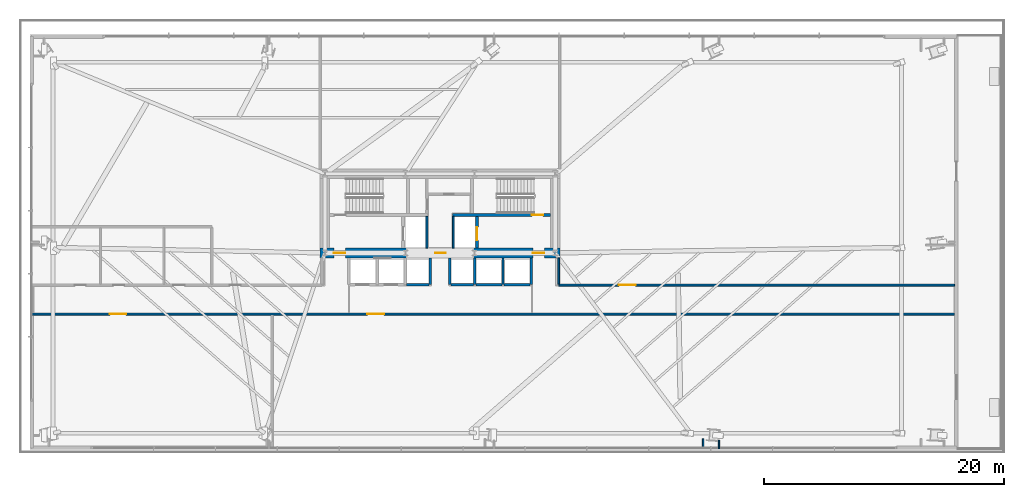
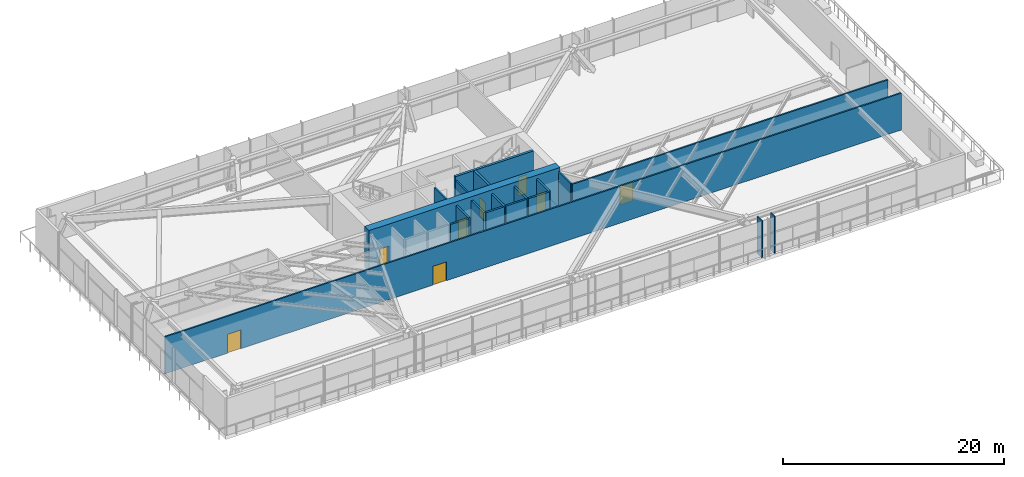
# One storey, part 26 of 36: 19 walls, 8 doors, 8 openings.
"""IFC4 building model written with IfcOpenShell, lengths in metres."""

from ifc_helpers import new_model, si_unit, direction, frame, frame_2d, origin, place, context, subcontext, project, spatial, rectangle, extrude, source, transform, mapped, material, layer, layer_set, type_object, type_shapes, element, fill, save


model = new_model("IFC4")

# Units and contexts
model_context = context("Model", 3, precision=1e-05, world=origin(), true_north=direction((0.0, 1.0)))
body_context = subcontext(model_context, "Body", "Model", "MODEL_VIEW")
ifc_project = project(units=[si_unit("LENGTHUNIT", "METRE"), si_unit("AREAUNIT", "SQUARE_METRE"), si_unit("VOLUMEUNIT", "CUBIC_METRE"), si_unit("PLANEANGLEUNIT", "RADIAN"), si_unit("MASSUNIT", "GRAM", prefix="KILO")], contexts=[model_context])

# Site, building, storey
site_placement = place(None, origin())
site = spatial("IfcSite", under=ifc_project, at=site_placement, CompositionType="ELEMENT")
building_placement = place(site_placement, origin())
building = spatial("IfcBuilding", under=site, at=building_placement, Name="Astriad Promenade Condominiums", CompositionType="ELEMENT")
storey_placement = place(building_placement, frame((0.0, 0.0, 5.0)))
storey = spatial("IfcBuildingStorey", under=building, at=storey_placement, Name="L01", CompositionType="ELEMENT", Elevation=5.0)

# Wall, openings, doors
ifc_material_1 = material(Name="Concrete C80/95", Category="concrete")
ifc_layer_1 = layer(ifc_material_1, 0.800048828125)
ifc_layer_set_1 = layer_set([ifc_layer_1], Name="Concrete C80/95")
wall_type_1 = type_object("IfcWallType", Name="CW-SHEAR-800", PredefinedType="SHEAR", material=ifc_layer_set_1)
wall_1_placement = place(storey_placement, frame((26.0, 17.39990234375, 0.0), z_axis=(0.0, 0.0, 1.0), x_axis=(1.0, 0.0, 0.0)))
wall_1 = element("IfcWall", 1, at=wall_1_placement, inside=storey, type_object=wall_type_1, Name="CW-CORE-S-L01", PredefinedType="SHEAR", context=body_context, shape_type="SweptSolid", body=[
    extrude(rectangle(XDim=20.0, YDim=0.800048828125, at=frame_2d((10.0, 0.0))), origin(), (0.0, 0.0, 1.0), 4.5),
])
opening_1_placement = place(wall_1_placement, frame((1.14990234375, 0.0, 0.0)))
opening_1 = element("IfcOpeningElement", 2, at=opening_1_placement, cuts=wall_1, Name="Opening FD90-ST-095", PredefinedType="OPENING", context=body_context, shape_type="SweptSolid", body=[
    extrude(rectangle(XDim=0.949951171875, YDim=2.06005859375, at=frame_2d((0.47509765625, 1.030029296875))), frame((0.0, 0.409912109375, 0.0), z_axis=(0.0, -1.0, 0.0), x_axis=(1.0, 0.0, 0.0)), (0.0, 0.0, 1.0), 0.820068359375),
])
opening_2_placement = place(wall_1_placement, frame((9.580078125, 0.0, 0.0)))
opening_2 = element("IfcOpeningElement", 3, at=opening_2_placement, cuts=wall_1, Name="Opening FD60-CSL-090", PredefinedType="OPENING", context=body_context, shape_type="SweptSolid", body=[
    extrude(rectangle(XDim=0.89990234375, YDim=2.06005859375, at=frame_2d((0.449951171875, 1.030029296875))), frame((0.0, 0.409912109375, 0.0), z_axis=(0.0, -1.0, 0.0), x_axis=(1.0, 0.0, 0.0)), (0.0, 0.0, 1.0), 0.820068359375),
])
opening_3_placement = place(wall_1_placement, frame((17.75, 0.0, 0.0)))
opening_3 = element("IfcOpeningElement", 4, at=opening_3_placement, cuts=wall_1, Name="Opening FD90-ST-095", PredefinedType="OPENING", context=body_context, shape_type="SweptSolid", body=[
    extrude(rectangle(XDim=0.949951171875, YDim=2.06005859375, at=frame_2d((0.47509765625, 1.030029296875))), frame((0.0, 0.409912109375, 0.0), z_axis=(0.0, -1.0, 0.0), x_axis=(1.0, 0.0, 0.0)), (0.0, 0.0, 1.0), 0.820068359375),
])
ifc_material_2 = material(Name="Fire-Rated Hollow Metal Stair Door")
door_type_1 = type_object("IfcDoorType", Name="FD90-ST-095", OperationType="NOTDEFINED", PredefinedType="DOOR", material=ifc_material_2)
shared_shape_1 = source(origin(), body_context, "Body", "SweptSolid", [
    extrude(rectangle(XDim=0.949951171875, YDim=2.06005859375, at=frame_2d((0.47509765625, 1.030029296875))), frame((0.0, 0.02490234375, 0.0), z_axis=(0.0, -1.0, 0.0), x_axis=(1.0, 0.0, 0.0)), (0.0, 0.0, 1.0), 0.050048828125),
])
type_shapes(door_type_1, [shared_shape_1])
door_1_placement = place(opening_1_placement, origin())
door_1 = element("IfcDoor", 5, at=door_1_placement, inside=storey, type_object=door_type_1, Name="D-FFW-L01", OperationType="SINGLE_SWING_LEFT", OverallHeight=2.06005859375, OverallWidth=0.949951171875, PredefinedType="DOOR", context=body_context, shape_type="MappedRepresentation", body=[
    mapped(shared_shape_1, transform((0.0, 0.0, 0.0), scale=1.0)),
])
fill(opening_1, door_1)
door_2_placement = place(opening_3_placement, origin())
door_2 = element("IfcDoor", 6, at=door_2_placement, inside=storey, type_object=door_type_1, Name="D-FFE-L01", OperationType="SINGLE_SWING_RIGHT", OverallHeight=2.06005859375, OverallWidth=0.949951171875, PredefinedType="DOOR", context=body_context, shape_type="MappedRepresentation", body=[
    mapped(shared_shape_1, transform((0.0, 0.0, 0.0), scale=1.0)),
])
fill(opening_3, door_2)
ifc_material_3 = material(Name="Fire-Rated Service Lobby Door")
door_type_2 = type_object("IfcDoorType", Name="FD60-CSL-090", OperationType="NOTDEFINED", PredefinedType="DOOR", material=ifc_material_3)
shared_shape_2 = source(origin(), body_context, "Body", "SweptSolid", [
    extrude(rectangle(XDim=0.89990234375, YDim=2.06005859375, at=frame_2d((0.449951171875, 1.030029296875))), frame((0.0, 0.02490234375, 0.0), z_axis=(0.0, -1.0, 0.0), x_axis=(1.0, 0.0, 0.0)), (0.0, 0.0, 1.0), 0.050048828125),
])
type_shapes(door_type_2, [shared_shape_2])
door_3_placement = place(opening_2_placement, origin())
door_3 = element("IfcDoor", 7, at=door_3_placement, inside=storey, type_object=door_type_2, Name="D-CSL-L01", OperationType="SINGLE_SWING_RIGHT", OverallHeight=2.06005859375, OverallWidth=0.89990234375, PredefinedType="DOOR", context=body_context, shape_type="MappedRepresentation", body=[
    mapped(shared_shape_2, transform((0.0, 0.0, 0.0), scale=1.0)),
])
fill(opening_2, door_3)

# Wall, opening, door
ifc_material_4 = material(Name="Concrete C50/60", Category="concrete")
ifc_layer_2 = layer(ifc_material_4, 0.25)
ifc_layer_set_2 = layer_set([ifc_layer_2], Name="Concrete C50/60")
wall_type_2 = type_object("IfcWallType", Name="WALL-CORE-INT-250", PredefinedType="SOLIDWALL", material=ifc_layer_set_2)
wall_2_placement = place(storey_placement, frame((37.050048828125, 20.574951171875, 0.0), z_axis=(0.0, 0.0, 1.0), x_axis=(1.0, 0.0, 0.0)))
wall_2 = element("IfcWall", 8, at=wall_2_placement, inside=storey, type_object=wall_type_2, Name="CW-INT-H2-L01", PredefinedType="SOLIDWALL", context=body_context, shape_type="SweptSolid", body=[
    extrude(rectangle(XDim=8.14794921875, YDim=0.25, at=frame_2d((4.073974609375, 0.0))), origin(), (0.0, 0.0, 1.0), 4.5),
])
opening_4_placement = place(wall_2_placement, frame((6.60009765625, 0.0, 0.0)))
opening_4 = element("IfcOpeningElement", 9, at=opening_4_placement, cuts=wall_2, Name="Opening FD90-ST-095", PredefinedType="OPENING", context=body_context, shape_type="SweptSolid", body=[
    extrude(rectangle(XDim=0.949951171875, YDim=2.06005859375, at=frame_2d((0.47509765625, 1.030029296875))), frame((0.0, 0.135009765625, 0.0), z_axis=(0.0, -1.0, 0.0), x_axis=(1.0, 0.0, 0.0)), (0.0, 0.0, 1.0), 0.27001953125),
])
door_4_placement = place(opening_4_placement, origin())
door_4 = element("IfcDoor", 10, at=door_4_placement, inside=storey, type_object=door_type_1, Name="D-ST2-L01", OperationType="SINGLE_SWING_RIGHT", OverallHeight=2.06005859375, OverallWidth=0.949951171875, PredefinedType="DOOR", context=body_context, shape_type="MappedRepresentation", body=[
    mapped(shared_shape_1, transform((0.0, 0.0, 0.0), scale=1.0)),
])
fill(opening_4, door_4)

wall_3_placement = place(storey_placement, frame((39.074951171875, 17.802001953125, 0.0), z_axis=(0.0, 0.0, 1.0), x_axis=(0.0, 1.0, 0.0)))
wall_3 = element("IfcWall", 11, at=wall_3_placement, inside=storey, type_object=wall_type_2, Name="CW-FFL2-E-L01", PredefinedType="SOLIDWALL", context=body_context, shape_type="SweptSolid", body=[
    extrude(rectangle(XDim=2.64599609375, YDim=0.25, at=frame_2d((1.322998046875, 0.0))), origin(), (0.0, 0.0, 1.0), 4.5),
])
opening_5_placement = place(wall_3_placement, frame((0.64794921875, 0.0, 0.0)))
opening_5 = element("IfcOpeningElement", 12, at=opening_5_placement, cuts=wall_3, Name="Opening LD-FFL-1122", PredefinedType="OPENING", context=body_context, shape_type="SweptSolid", body=[
    extrude(rectangle(XDim=1.10009765625, YDim=2.080078125, at=frame_2d((0.550048828125, 1.0400390625))), frame((0.0, 0.135009765625, 0.0), z_axis=(0.0, -1.0, 0.0), x_axis=(1.0, 0.0, 0.0)), (0.0, 0.0, 1.0), 0.27001953125),
])
ifc_material_5 = material(Name="Brushed Stainless Steel Fire Elevator Landing Door", Category="steel")
door_type_3 = type_object("IfcDoorType", Name="LD-FFL-1122", OperationType="NOTDEFINED", PredefinedType="DOOR", material=ifc_material_5)
shared_shape_3 = source(origin(), body_context, "Body", "SweptSolid", [
    extrude(rectangle(XDim=1.10009765625, YDim=2.080078125, at=frame_2d((0.550048828125, 1.0400390625))), frame((0.0, 0.02490234375, 0.0), z_axis=(0.0, -1.0, 0.0), x_axis=(1.0, 0.0, 0.0)), (0.0, 0.0, 1.0), 0.050048828125),
])
type_shapes(door_type_3, [shared_shape_3])
door_5_placement = place(opening_5_placement, origin())
door_5 = element("IfcDoor", 13, at=door_5_placement, inside=storey, type_object=door_type_3, Name="Elevator Landing Door FFL-2 (L01)", OperationType="SLIDING_TO_RIGHT", OverallHeight=2.080078125, OverallWidth=1.10009765625, PredefinedType="DOOR", context=body_context, shape_type="MappedRepresentation", body=[
    mapped(shared_shape_3, transform((0.0, 0.0, 0.0), scale=1.0)),
])
fill(opening_5, door_5)

# Walls
ifc_material_6 = material(Name="Fire-Rated Gypsum Partition")
ifc_layer_3 = layer(ifc_material_6, 0.159912109375)
ifc_layer_set_3 = layer_set([ifc_layer_3], Name="Fire-Rated Gypsum Partition")
wall_type_3 = type_object("IfcWallType", Name="WALL-CORR-160", PredefinedType="PARTITIONING", material=ifc_layer_set_3)
for number, where, z_axis, x_axis, name in (
    (14, (34.89990234375, 17.802001953125, 0.0), (0.0, 0.0, 1.0), (0.0, 1.0, 0.0), "CW-FFL1-E-L01"),
    (15, (37.10009765625, 17.802001953125, 0.0), (0.0, 0.0, 1.0), (0.0, 1.0, 0.0), "CW-FFL2-W-L01"),
):
    element("IfcWall", number, at=place(storey_placement, frame(where, z_axis=z_axis, x_axis=x_axis)), inside=storey, type_object=wall_type_3, Name=name, PredefinedType="PARTITIONING", context=body_context, shape_type="SweptSolid", body=[
        extrude(rectangle(XDim=2.64599609375, YDim=0.159912109375, at=frame_2d((1.322998046875, 0.0))), origin(), (0.0, 0.0, 1.0), 4.080078125),
    ])

# Wall, openings, doors
wall_4_placement = place(storey_placement, frame((1.949951171875, 12.300048828125, 0.0), z_axis=(0.0, 0.0, 1.0), x_axis=(1.0, 0.0, 0.0)))
wall_4 = element("IfcWall", 16, at=wall_4_placement, inside=storey, type_object=wall_type_3, Name="PT-L01-CS", PredefinedType="PARTITIONING", context=body_context, shape_type="SweptSolid", body=[
    extrude(rectangle(XDim=76.947998046875, YDim=0.159912109375, at=frame_2d((38.47412109375, 0.0))), origin(), (0.0, 0.0, 1.0), 4.080078125),
])
opening_6_placement = place(wall_4_placement, frame((6.5, 0.0, 0.0)))
opening_6 = element("IfcOpeningElement", 17, at=opening_6_placement, cuts=wall_4, Name="Opening FD60-SAL-1422", PredefinedType="OPENING", context=body_context, shape_type="SweptSolid", body=[
    extrude(rectangle(XDim=1.39990234375, YDim=2.080078125, at=frame_2d((0.699951171875, 1.0400390625))), frame((0.0, 0.08984375, 0.0), z_axis=(0.0, -1.0, 0.0), x_axis=(1.0, 0.0, 0.0)), (0.0, 0.0, 1.0), 0.179931640625),
])
opening_7_placement = place(wall_4_placement, frame((28.0, 0.0, 0.0)))
opening_7 = element("IfcOpeningElement", 18, at=opening_7_placement, cuts=wall_4, Name="Opening FD60-SAL-1422", PredefinedType="OPENING", context=body_context, shape_type="SweptSolid", body=[
    extrude(rectangle(XDim=1.39990234375, YDim=2.080078125, at=frame_2d((0.699951171875, 1.0400390625))), frame((0.0, 0.08984375, 0.0), z_axis=(0.0, -1.0, 0.0), x_axis=(1.0, 0.0, 0.0)), (0.0, 0.0, 1.0), 0.179931640625),
])
ifc_material_7 = material(Name="Glazed Timber Double Salon Door", Category="wood")
door_type_4 = type_object("IfcDoorType", Name="FD60-SAL-1422", OperationType="NOTDEFINED", PredefinedType="DOOR", material=ifc_material_7)
shared_shape_4 = source(origin(), body_context, "Body", "SweptSolid", [
    extrude(rectangle(XDim=1.39990234375, YDim=2.080078125, at=frame_2d((0.699951171875, 1.0400390625))), frame((0.0, 0.02490234375, 0.0), z_axis=(0.0, -1.0, 0.0), x_axis=(1.0, 0.0, 0.0)), (0.0, 0.0, 1.0), 0.050048828125),
])
type_shapes(door_type_4, [shared_shape_4])
door_6_placement = place(opening_6_placement, origin())
door_6 = element("IfcDoor", 19, at=door_6_placement, inside=storey, type_object=door_type_4, Name="D-L01-R1", OperationType="DOUBLE_DOOR_SINGLE_SWING", OverallHeight=2.080078125, OverallWidth=1.39990234375, PredefinedType="DOOR", context=body_context, shape_type="MappedRepresentation", body=[
    mapped(shared_shape_4, transform((0.0, 0.0, 0.0), scale=1.0)),
])
fill(opening_6, door_6)
door_7_placement = place(opening_7_placement, origin())
door_7 = element("IfcDoor", 20, at=door_7_placement, inside=storey, type_object=door_type_4, Name="D-L01-R2", OperationType="DOUBLE_DOOR_SINGLE_SWING", OverallHeight=2.080078125, OverallWidth=1.39990234375, PredefinedType="DOOR", context=body_context, shape_type="MappedRepresentation", body=[
    mapped(shared_shape_4, transform((0.0, 0.0, 0.0), scale=1.0)),
])
fill(opening_7, door_7)

# Wall, opening, door
wall_5_placement = place(storey_placement, frame((45.89990234375, 14.719970703125, 0.0), z_axis=(0.0, 0.0, 1.0), x_axis=(1.0, 0.0, 0.0)))
wall_5 = element("IfcWall", 21, at=wall_5_placement, inside=storey, type_object=wall_type_3, Name="PT-L01-CNE", PredefinedType="PARTITIONING", context=body_context, shape_type="SweptSolid", body=[
    extrude(rectangle(XDim=32.998046875, YDim=0.159912109375, at=frame_2d((16.4990234375, 0.0))), origin(), (0.0, 0.0, 1.0), 4.080078125),
])
opening_8_placement = place(wall_5_placement, frame((5.0, 0.0, 0.0)))
opening_8 = element("IfcOpeningElement", 22, at=opening_8_placement, cuts=wall_5, Name="Opening FD60-SAL-1422", PredefinedType="OPENING", context=body_context, shape_type="SweptSolid", body=[
    extrude(rectangle(XDim=1.39990234375, YDim=2.080078125, at=frame_2d((0.699951171875, 1.0400390625))), frame((0.0, 0.08984375, 0.0), z_axis=(0.0, -1.0, 0.0), x_axis=(1.0, 0.0, 0.0)), (0.0, 0.0, 1.0), 0.179931640625),
])
door_8_placement = place(opening_8_placement, origin())
door_8 = element("IfcDoor", 23, at=door_8_placement, inside=storey, type_object=door_type_4, Name="D-L01-R3", OperationType="DOUBLE_DOOR_SINGLE_SWING", OverallHeight=2.080078125, OverallWidth=1.39990234375, PredefinedType="DOOR", context=body_context, shape_type="MappedRepresentation", body=[
    mapped(shared_shape_4, transform((0.0, 0.0, 0.0), scale=1.0)),
])
fill(opening_8, door_8)

# Walls
wall_6_placement = place(storey_placement, frame((45.89990234375, 14.802001953125, 0.0), z_axis=(0.0, 0.0, 1.0), x_axis=(0.0, 1.0, 0.0)))
element("IfcWall", 24, at=wall_6_placement, inside=storey, type_object=wall_type_3, Name="PT-L01-CESP", PredefinedType="PARTITIONING", context=body_context, shape_type="SweptSolid", body=[
    extrude(rectangle(XDim=2.196044921875, YDim=0.159912109375, at=frame_2d((1.09814453125, 0.0))), origin(), (0.0, 0.0, 1.0), 4.080078125),
])
ifc_material_8 = material(Name="Acoustic Metal-Stud Gypsum Partition")
ifc_layer_4 = layer(ifc_material_8, 0.1201171875)
ifc_layer_set_4 = layer_set([ifc_layer_4], Name="Acoustic Metal-Stud Gypsum Partition")
wall_type_4 = type_object("IfcWallType", Name="WALL-PART-120", PredefinedType="PARTITIONING", material=ifc_layer_set_4)
wall_7_placement = place(storey_placement, frame((57.93505859375, 1.89990234375, 0.0), z_axis=(0.0, 0.0, 1.0), x_axis=(0.0, -1.0, 0.0)))
element("IfcWall", 25, at=wall_7_placement, inside=storey, type_object=wall_type_4, Name="PT-PIL-L01-PC04-11", PredefinedType="PARTITIONING", context=body_context, shape_type="SweptSolid", body=[
    extrude(rectangle(XDim=0.81982421875, YDim=0.1201171875, at=frame_2d((0.409912109375, 0.0))), origin(), (0.0, 0.0, 1.0), 4.080078125),
])
wall_8_placement = place(storey_placement, frame((59.260009765625, 1.800048828125, 0.0), z_axis=(0.0, 0.0, 1.0), x_axis=(0.0, -1.0, 0.0)))
element("IfcWall", 26, at=wall_8_placement, inside=storey, type_object=wall_type_4, Name="PT-PIL-L01-PC04-23", PredefinedType="PARTITIONING", context=body_context, shape_type="SweptSolid", body=[
    extrude(rectangle(XDim=0.719970703125, YDim=0.1201171875, at=frame_2d((0.35986328125, 0.0))), origin(), (0.0, 0.0, 1.0), 4.080078125),
])
ifc_material_9 = material(Name="Gypsum Shaftliner Assembly")
ifc_layer_5 = layer(ifc_material_9, 0.199951171875)
ifc_layer_set_5 = layer_set([ifc_layer_5], Name="Gypsum Shaftliner Assembly")
wall_type_5 = type_object("IfcWallType", Name="WALL-SHAFT-200", PredefinedType="PARTITIONING", material=ifc_layer_set_5)
wall_9_placement = place(storey_placement, frame((35.199951171875, 14.75, 0.0), z_axis=(0.0, 0.0, 1.0), x_axis=(0.0, 1.0, 0.0)))
element("IfcWall", 27, at=wall_9_placement, inside=storey, type_object=wall_type_5, Name="PL-M1-E-L01", PredefinedType="PARTITIONING", context=body_context, shape_type="SweptSolid", body=[
    extrude(rectangle(XDim=2.248046875, YDim=0.199951171875, at=frame_2d((1.1240234375, 0.0))), origin(), (0.0, 0.0, 1.0), 4.080078125),
])
wall_10_placement = place(storey_placement, frame((33.201904296875, 14.75, 0.0), z_axis=(0.0, 0.0, 1.0), x_axis=(1.0, 0.0, 0.0)))
element("IfcWall", 28, at=wall_10_placement, inside=storey, type_object=wall_type_5, Name="PL-M1-F-L01", PredefinedType="PARTITIONING", context=body_context, shape_type="SweptSolid", body=[
    extrude(rectangle(XDim=1.89599609375, YDim=0.199951171875, at=frame_2d((0.947998046875, 0.0))), origin(), (0.0, 0.0, 1.0), 4.080078125),
])
for number, where, z_axis, x_axis, name in (
    (29, (36.800048828125, 14.75, 0.0), (0.0, 0.0, 1.0), (0.0, 1.0, 0.0), "PL-M2-W-L01"),
    (30, (38.89990234375, 14.75, 0.0), (0.0, 0.0, 1.0), (0.0, 1.0, 0.0), "PL-MH-DIV-L01"),
):
    element("IfcWall", number, at=place(storey_placement, frame(where, z_axis=z_axis, x_axis=x_axis)), inside=storey, type_object=wall_type_5, Name=name, PredefinedType="PARTITIONING", context=body_context, shape_type="SweptSolid", body=[
        extrude(rectangle(XDim=2.248046875, YDim=0.199951171875, at=frame_2d((1.1240234375, 0.0))), origin(), (0.0, 0.0, 1.0), 4.080078125),
    ])
wall_11_placement = place(storey_placement, frame((36.902099609375, 14.75, 0.0), z_axis=(0.0, 0.0, 1.0), x_axis=(1.0, 0.0, 0.0)))
element("IfcWall", 31, at=wall_11_placement, inside=storey, type_object=wall_type_5, Name="PL-M2-F-L01", PredefinedType="PARTITIONING", context=body_context, shape_type="SweptSolid", body=[
    extrude(rectangle(XDim=1.89599609375, YDim=0.199951171875, at=frame_2d((0.947998046875, 0.0))), origin(), (0.0, 0.0, 1.0), 4.080078125),
])
for number, where, z_axis, x_axis, name in (
    (32, (41.25, 14.75, 0.0), (0.0, 0.0, 1.0), (0.0, 1.0, 0.0), "PL-H-DIV-L01"),
    (33, (43.60009765625, 14.75, 0.0), (0.0, 0.0, 1.0), (0.0, 1.0, 0.0), "PL-E-OUT-L01"),
):
    element("IfcWall", number, at=place(storey_placement, frame(where, z_axis=z_axis, x_axis=x_axis)), inside=storey, type_object=wall_type_5, Name=name, PredefinedType="PARTITIONING", context=body_context, shape_type="SweptSolid", body=[
        extrude(rectangle(XDim=2.248046875, YDim=0.199951171875, at=frame_2d((1.1240234375, 0.0))), origin(), (0.0, 0.0, 1.0), 4.080078125),
    ])
for number, where, z_axis, x_axis, name in (
    (34, (39.001953125, 14.75, 0.0), (0.0, 0.0, 1.0), (1.0, 0.0, 0.0), "PL-H-FRT-L01"),
    (35, (41.35205078125, 14.75, 0.0), (0.0, 0.0, 1.0), (1.0, 0.0, 0.0), "PL-H-FRT-L01-S2"),
):
    element("IfcWall", number, at=place(storey_placement, frame(where, z_axis=z_axis, x_axis=x_axis)), inside=storey, type_object=wall_type_5, Name=name, PredefinedType="PARTITIONING", context=body_context, shape_type="SweptSolid", body=[
        extrude(rectangle(XDim=2.14599609375, YDim=0.199951171875, at=frame_2d((1.072998046875, 0.0))), origin(), (0.0, 0.0, 1.0), 4.080078125),
    ])

save(model, "model.ifc")
